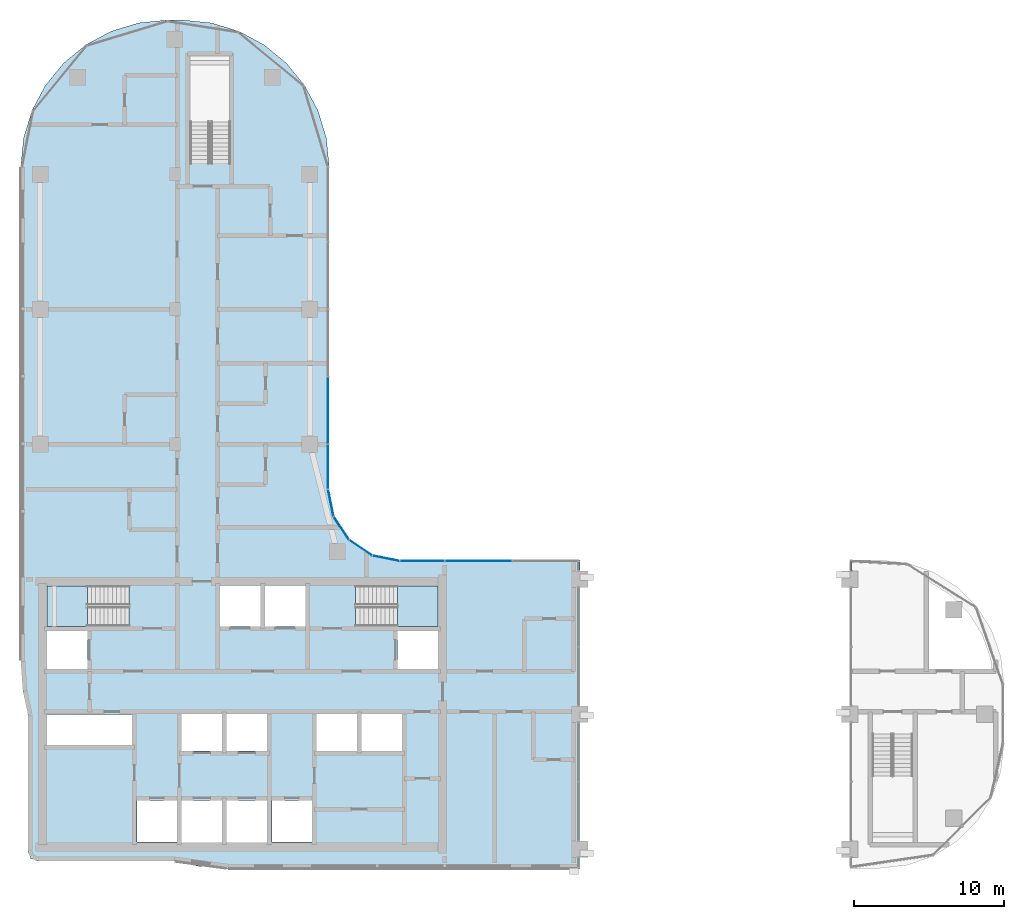
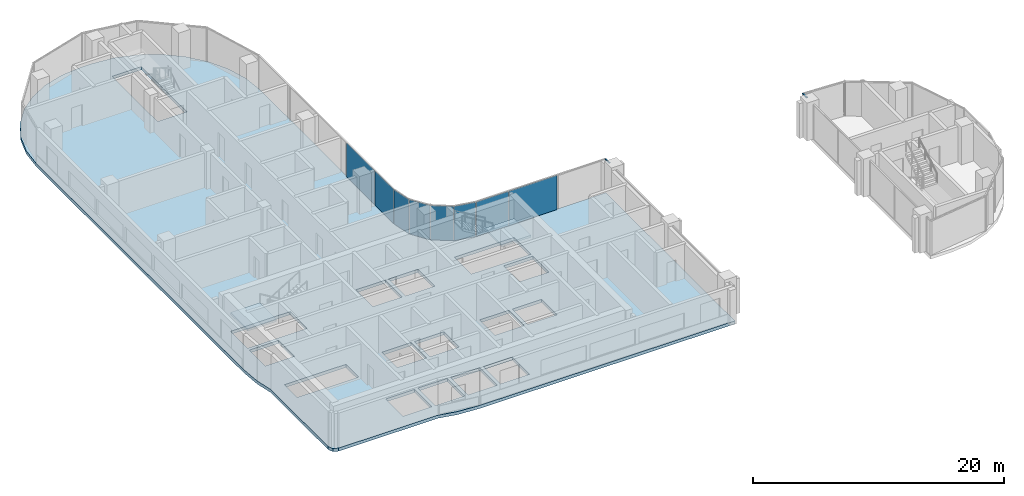
# One storey, part 7 of 23: 8 plates, 3 slabs, 2 members, 7 elements without a shape of their own.
"""IFC4 building model written with IfcOpenShell, lengths in metres."""

from ifc_helpers import new_model, si_unit, direction, frame, origin, origin_2d, place, context, subcontext, project, spatial, polyline, rectangle, outline, extrude, material, layer, layer_set, material_profile, profile_set, type_object, element, aggregate, save


model = new_model("IFC4")

# Units and contexts
model_context = context("Model", 3, precision=1e-05, world=origin(), true_north=direction((0.0, 1.0)))
body_context = subcontext(model_context, "Body", "Model", "MODEL_VIEW")
ifc_project = project(units=[si_unit("LENGTHUNIT", "METRE"), si_unit("AREAUNIT", "SQUARE_METRE"), si_unit("VOLUMEUNIT", "CUBIC_METRE"), si_unit("PLANEANGLEUNIT", "RADIAN"), si_unit("MASSUNIT", "GRAM", prefix="KILO")], contexts=[model_context])

# Site, building, storey
site_placement = place(None, origin())
site = spatial("IfcSite", under=ifc_project, at=site_placement, CompositionType="ELEMENT")
building_placement = place(site_placement, origin())
building = spatial("IfcBuilding", under=site, at=building_placement, Name="Ogive Portal Towers", CompositionType="ELEMENT")
storey_placement = place(building_placement, frame((0.0, 0.0, 168.10009765625)))
storey = spatial("IfcBuildingStorey", under=building, at=storey_placement, Name="L41", CompositionType="ELEMENT", Elevation=168.10009765625)

# Curtain wall, member
ifc_material_1 = material(Name="Glass, clear low-iron insulated glazing", Category="glass")
curtain_wall_type_1 = type_object("IfcCurtainWallType", Name="CW PORTAL REVEAL", PredefinedType="NOTDEFINED", material=ifc_material_1)
curtain_wall_1_placement = place(storey_placement, origin())
curtain_wall_1 = element("IfcCurtainWall", 1, at=curtain_wall_1_placement, inside=storey, type_object=curtain_wall_type_1, Name="A:L41:f06:cw0~3", PredefinedType="NOTDEFINED")
ifc_material_2 = material(Name="Aluminium 6063 anodised", Category="aluminium")
ifc_material_profile = material_profile(ifc_material_2, rectangle(XDim=0.1201171875, YDim=0.06005859375, at=origin_2d()), Name="AL 120x60")
ifc_profile_set = profile_set([ifc_material_profile], Name="Aluminium 6063 anodised")
member_type = type_object("IfcMemberType", Name="CW TRANSOM 60x120", PredefinedType="USERDEFINED", material=ifc_profile_set)
member_1_placement = place(storey_placement, frame((67.419921875, 40.050048828125, 3.369873046875), z_axis=(0.0, 1.0, 0.0), x_axis=(-1.0, 0.0, 0.0)))
member_1 = element("IfcMember", 2, at=member_1_placement, type_object=member_type, Name="transom", ObjectType="TRANSOM", PredefinedType="USERDEFINED", context=body_context, shape_type="SweptSolid", body=[
    extrude(rectangle(XDim=0.1201171875, YDim=0.06005859375, at=origin_2d()), origin(), (0.0, 0.0, 1.0), 0.655029296875),
])
aggregate(curtain_wall_1, [member_1])

curtain_wall_2_placement = place(storey_placement, origin())
curtain_wall_2 = element("IfcCurtainWall", 3, at=curtain_wall_2_placement, inside=storey, type_object=curtain_wall_type_1, Name="A:L41:f22:cw0~0", PredefinedType="NOTDEFINED")
member_2_placement = place(storey_placement, frame((85.580078125, 40.700439453125, 3.369873046875), z_axis=(0.0, -1.0, 0.0), x_axis=(1.0, 0.0, 0.0)))
member_2 = element("IfcMember", 4, at=member_2_placement, type_object=member_type, Name="transom", ObjectType="TRANSOM", PredefinedType="USERDEFINED", context=body_context, shape_type="SweptSolid", body=[
    extrude(rectangle(XDim=0.1201171875, YDim=0.06005859375, at=origin_2d()), origin(), (0.0, 0.0, 1.0), 0.650390625),
])
aggregate(curtain_wall_2, [member_2])

# Curtain wall, plates
curtain_wall_type_2 = type_object("IfcCurtainWallType", Name="CW FRONT RIBBON 4500", PredefinedType="NOTDEFINED", material=ifc_material_1)
curtain_wall_3_placement = place(storey_placement, origin())
curtain_wall_3 = element("IfcCurtainWall", 5, at=curtain_wall_3_placement, inside=storey, type_object=curtain_wall_type_2, Name="A:L41:f07:cw0", PredefinedType="NOTDEFINED")
ifc_layer_1 = layer(ifc_material_1, 0.028076171875)
ifc_layer_set_1 = layer_set([ifc_layer_1], Name="CW PANEL IGU 28")
plate_type = type_object("IfcPlateType", Name="CW PANEL IGU 28", PredefinedType="CURTAIN_PANEL", material=ifc_layer_set_1)
plate_1_placement = place(storey_placement, frame((60.75, 40.705078125, 0.0), z_axis=(0.0, 0.0, 1.0), x_axis=(-1.0, 0.0, 0.0)))
plate_1 = element("IfcPlate", 6, at=plate_1_placement, type_object=plate_type, Name="panel", PredefinedType="CURTAIN_PANEL", context=body_context, shape_type="SweptSolid", body=[
    extrude(rectangle(XDim=4.43994140625, YDim=0.028076171875, at=origin_2d()), origin(), (0.0, 0.0, 1.0), 3.340087890625),
])
plate_2_placement = place(storey_placement, frame((56.99609375, 40.705078125, 0.0), z_axis=(0.0, 0.0, 1.0), x_axis=(-1.0, 0.0, 0.0)))
plate_2 = element("IfcPlate", 7, at=plate_2_placement, type_object=plate_type, Name="panel", PredefinedType="CURTAIN_PANEL", context=body_context, shape_type="SweptSolid", body=[
    extrude(rectangle(XDim=2.947998046875, YDim=0.028076171875, at=origin_2d()), origin(), (0.0, 0.0, 1.0), 3.340087890625),
])
aggregate(curtain_wall_3, [plate_1, plate_2])

curtain_wall_4_placement = place(storey_placement, origin())
curtain_wall_4 = element("IfcCurtainWall", 8, at=curtain_wall_4_placement, inside=storey, type_object=curtain_wall_type_2, Name="A:L41:f12:cw0", PredefinedType="NOTDEFINED")
plate_3_placement = place(storey_placement, frame((50.705078125, 46.99609375, 0.0), z_axis=(0.0, 0.0, 1.0), x_axis=(0.0, 1.0, 0.0)))
plate_3 = element("IfcPlate", 9, at=plate_3_placement, type_object=plate_type, Name="panel", PredefinedType="CURTAIN_PANEL", context=body_context, shape_type="SweptSolid", body=[
    extrude(rectangle(XDim=2.947998046875, YDim=0.028076171875, at=origin_2d()), origin(), (0.0, 0.0, 1.0), 3.340087890625),
])
plate_4_placement = place(storey_placement, frame((50.705078125, 50.75, 0.0), z_axis=(0.0, 0.0, 1.0), x_axis=(0.0, 1.0, 0.0)))
plate_4 = element("IfcPlate", 10, at=plate_4_placement, type_object=plate_type, Name="panel", PredefinedType="CURTAIN_PANEL", context=body_context, shape_type="SweptSolid", body=[
    extrude(rectangle(XDim=4.43994140625, YDim=0.028076171875, at=origin_2d()), origin(), (0.0, 0.0, 1.0), 3.340087890625),
])
aggregate(curtain_wall_4, [plate_3, plate_4])

curtain_wall_5_placement = place(storey_placement, origin())
curtain_wall_5 = element("IfcCurtainWall", 11, at=curtain_wall_5_placement, inside=storey, type_object=curtain_wall_type_2, Name="A:L41:f08:cwa", PredefinedType="NOTDEFINED")
plate_5_placement = place(storey_placement, frame((54.578369140625, 40.88671875, 0.0), z_axis=(0.0, 0.0, 1.0), x_axis=(-0.980785280403, 0.195090322016, 0.0)))
plate_5 = element("IfcPlate", 12, at=plate_5_placement, type_object=plate_type, Name="panel", PredefinedType="CURTAIN_PANEL", context=body_context, shape_type="SweptSolid", body=[
    extrude(rectangle(XDim=1.803466796875, YDim=0.028076171875, at=origin_2d()), origin(), (0.0, 0.0, 1.0), 3.340087890625),
])
plate_6_placement = place(storey_placement, frame((52.886474609375, 41.58837890625, 0.0), z_axis=(0.0, 0.0, 1.0), x_axis=(-0.831469612303, 0.55557023302, 0.0)))
plate_6 = element("IfcPlate", 13, at=plate_6_placement, type_object=plate_type, Name="panel", PredefinedType="CURTAIN_PANEL", context=body_context, shape_type="SweptSolid", body=[
    extrude(rectangle(XDim=1.8115234375, YDim=0.028076171875, at=origin_2d()), origin(), (0.0, 0.0, 1.0), 3.340087890625),
])
plate_7_placement = place(storey_placement, frame((51.58837890625, 42.886474609375, 0.0), z_axis=(0.0, 0.0, 1.0), x_axis=(-0.55557023302, 0.831469612303, 0.0)))
plate_7 = element("IfcPlate", 14, at=plate_7_placement, type_object=plate_type, Name="panel", PredefinedType="CURTAIN_PANEL", context=body_context, shape_type="SweptSolid", body=[
    extrude(rectangle(XDim=1.8115234375, YDim=0.028076171875, at=origin_2d()), origin(), (0.0, 0.0, 1.0), 3.340087890625),
])
plate_8_placement = place(storey_placement, frame((50.88671875, 44.578369140625, 0.0), z_axis=(0.0, 0.0, 1.0), x_axis=(-0.195090322016, 0.980785280403, 0.0)))
plate_8 = element("IfcPlate", 15, at=plate_8_placement, type_object=plate_type, Name="panel", PredefinedType="CURTAIN_PANEL", context=body_context, shape_type="SweptSolid", body=[
    extrude(rectangle(XDim=1.803466796875, YDim=0.028076171875, at=origin_2d()), origin(), (0.0, 0.0, 1.0), 3.340087890625),
])
aggregate(curtain_wall_5, [plate_5, plate_6, plate_7, plate_8])

# Stair, slab
ifc_material_3 = material(Name="Concrete C40/50", Category="concrete")
stair_type = type_object("IfcStairType", Name="INT-STAIR", PredefinedType="HALF_TURN_STAIR", material=ifc_material_3)
stair_1_placement = place(storey_placement, origin())
stair_1 = element("IfcStair", 16, at=stair_1_placement, inside=storey, type_object=stair_type, Name="L41 Exit Stair ST-A1", PredefinedType="HALF_TURN_STAIR")
ifc_layer_2 = layer(ifc_material_3, 0.199951171875)
ifc_layer_set_2 = layer_set([ifc_layer_2], Name="INT-LANDING")
slab_type_1 = type_object("IfcSlabType", Name="INT-LANDING", PredefinedType="LANDING", material=ifc_layer_set_2)
slab_1_placement = place(storey_placement, frame((0.0, 0.0, 1.64990234375)))
slab_1 = element("IfcSlab", 17, at=slab_1_placement, type_object=slab_type_1, Name="ST-A1 landing 1", PredefinedType="LANDING", context=body_context, shape_type="SweptSolid", body=[
    extrude(outline(polyline([(34.64990234375, 39.050048828125), (31.949951171875, 39.050048828125), (31.949951171875, 36.35009765625), (34.64990234375, 36.35009765625), (34.64990234375, 39.050048828125)])), origin(), (0.0, 0.0, 1.0), 0.199951171875),
])
aggregate(stair_1, [slab_1])

stair_2_placement = place(storey_placement, origin())
stair_2 = element("IfcStair", 18, at=stair_2_placement, inside=storey, type_object=stair_type, Name="L41 Exit Stair ST-A2", PredefinedType="HALF_TURN_STAIR")
slab_2_placement = place(storey_placement, frame((0.0, 0.0, 1.64990234375)))
slab_2 = element("IfcSlab", 19, at=slab_2_placement, type_object=slab_type_1, Name="ST-A2 landing 1", PredefinedType="LANDING", context=body_context, shape_type="SweptSolid", body=[
    extrude(outline(polyline([(55.35009765625, 36.35009765625), (58.050048828125, 36.35009765625), (58.050048828125, 39.050048828125), (55.35009765625, 39.050048828125), (55.35009765625, 36.35009765625)])), origin(), (0.0, 0.0, 1.0), 0.199951171875),
])
aggregate(stair_2, [slab_2])

# Slab
ifc_material_4 = material(Name="Concrete C45/55", Category="concrete")
ifc_layer_3 = layer(ifc_material_4, 0.300048828125)
ifc_layer_set_3 = layer_set([ifc_layer_3], Name="PT FLAT PLATE 300")
slab_type_2 = type_object("IfcSlabType", Name="PT FLAT PLATE 300", PredefinedType="FLOOR", material=ifc_layer_set_3)
slab_3_placement = place(storey_placement, frame((0.0, 0.0, -0.300048828125)))
element("IfcSlab", 20, at=slab_3_placement, inside=storey, type_object=slab_type_2, Name="Floor slab L41", PredefinedType="FLOOR", context=body_context, shape_type="SweptSolid", body=[
    extrude(outline(polyline([(30.215087890625, 67.0), (30.215087890625, 34.0), (30.355224609375, 32.0380859375), (30.699951171875, 30.45361328125), (30.699951171875, 21.300048828125), (30.875732421875, 20.875732421875), (31.300048828125, 20.699951171875), (40.45361328125, 20.699951171875), (42.0380859375, 20.355224609375), (44.0, 20.215087890625), (67.5, 20.215087890625), (67.5, 40.784912109375), (55.5, 40.784912109375), (53.695556640625, 41.143798828125), (52.166015625, 42.166015625), (51.143798828125, 43.695556640625), (50.784912109375, 45.5), (50.784912109375, 67.0), (50.596923828125, 68.908935546875), (50.040283203125, 70.74462890625), (49.135986328125, 72.436279296875), (47.9189453125, 73.9189453125), (46.436279296875, 75.135986328125), (44.74462890625, 76.040283203125), (42.908935546875, 76.596923828125), (41.0, 76.784912109375), (40.0, 76.784912109375), (38.091064453125, 76.596923828125), (36.25537109375, 76.040283203125), (34.563720703125, 75.135986328125), (33.0810546875, 73.9189453125), (31.864013671875, 72.436279296875), (30.959716796875, 70.74462890625), (30.403076171875, 68.908935546875), (30.215087890625, 67.0)]), holes=[polyline([(40.6298828125, 21.969970703125), (37.969970703125, 21.969970703125), (37.969970703125, 24.72998046875), (40.6298828125, 24.72998046875), (40.6298828125, 21.969970703125)]), polyline([(43.64990234375, 24.75), (43.64990234375, 21.949951171875), (40.949951171875, 21.949951171875), (40.949951171875, 24.75), (43.64990234375, 24.75)]), polyline([(46.64990234375, 24.75), (46.64990234375, 21.949951171875), (43.949951171875, 21.949951171875), (43.949951171875, 24.75), (46.64990234375, 24.75)]), polyline([(43.64990234375, 30.5), (43.64990234375, 28.050048828125), (40.949951171875, 28.050048828125), (40.949951171875, 30.5), (43.64990234375, 30.5)]), polyline([(37.6298828125, 28.447021484375), (31.969970703125, 28.447021484375), (31.969970703125, 30.47998046875), (37.6298828125, 30.47998046875), (37.6298828125, 28.447021484375)]), polyline([(34.64990234375, 36.050048828125), (34.64990234375, 33.5), (31.949951171875, 33.5), (31.949951171875, 36.050048828125), (34.64990234375, 36.050048828125)]), polyline([(31.951904296875, 39.048095703125), (37.447998046875, 39.048095703125), (37.447998046875, 36.35205078125), (31.951904296875, 36.35205078125), (31.951904296875, 39.048095703125)]), polyline([(46.199951171875, 36.35009765625), (43.5, 36.35009765625), (43.5, 39.050048828125), (46.199951171875, 39.050048828125), (46.199951171875, 36.35009765625)]), polyline([(44.197998046875, 67.201904296875), (41.501953125, 67.201904296875), (41.501953125, 74.447998046875), (44.197998046875, 74.447998046875), (44.197998046875, 67.201904296875)]), polyline([(49.6298828125, 21.969970703125), (46.969970703125, 21.969970703125), (46.969970703125, 24.72998046875), (49.6298828125, 24.72998046875), (49.6298828125, 21.969970703125)]), polyline([(46.64990234375, 30.5), (46.64990234375, 28.050048828125), (43.949951171875, 28.050048828125), (43.949951171875, 30.5), (46.64990234375, 30.5)]), polyline([(52.64990234375, 30.5), (52.64990234375, 28.050048828125), (49.949951171875, 28.050048828125), (49.949951171875, 30.5), (52.64990234375, 30.5)]), polyline([(55.64990234375, 30.5), (55.64990234375, 28.050048828125), (52.949951171875, 28.050048828125), (52.949951171875, 30.5), (55.64990234375, 30.5)]), polyline([(58.050048828125, 36.050048828125), (58.050048828125, 33.5), (55.35009765625, 33.5), (55.35009765625, 36.050048828125), (58.050048828125, 36.050048828125)]), polyline([(49.199951171875, 36.35009765625), (46.5, 36.35009765625), (46.5, 39.050048828125), (49.199951171875, 39.050048828125), (49.199951171875, 36.35009765625)]), polyline([(52.552001953125, 36.35205078125), (52.552001953125, 39.048095703125), (58.048095703125, 39.048095703125), (58.048095703125, 36.35205078125), (52.552001953125, 36.35205078125)])]), origin(), (0.0, 0.0, 1.0), 0.300048828125),
])

save(model, "model.ifc")
